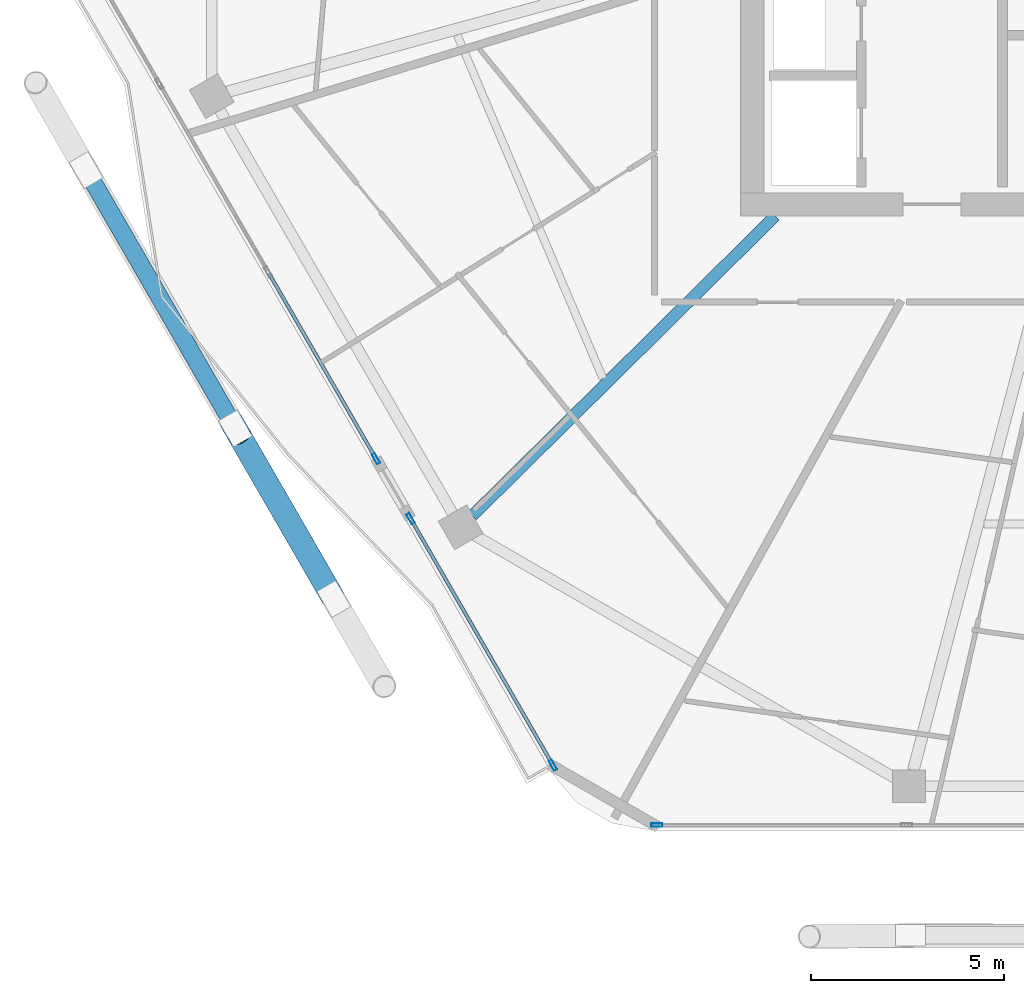
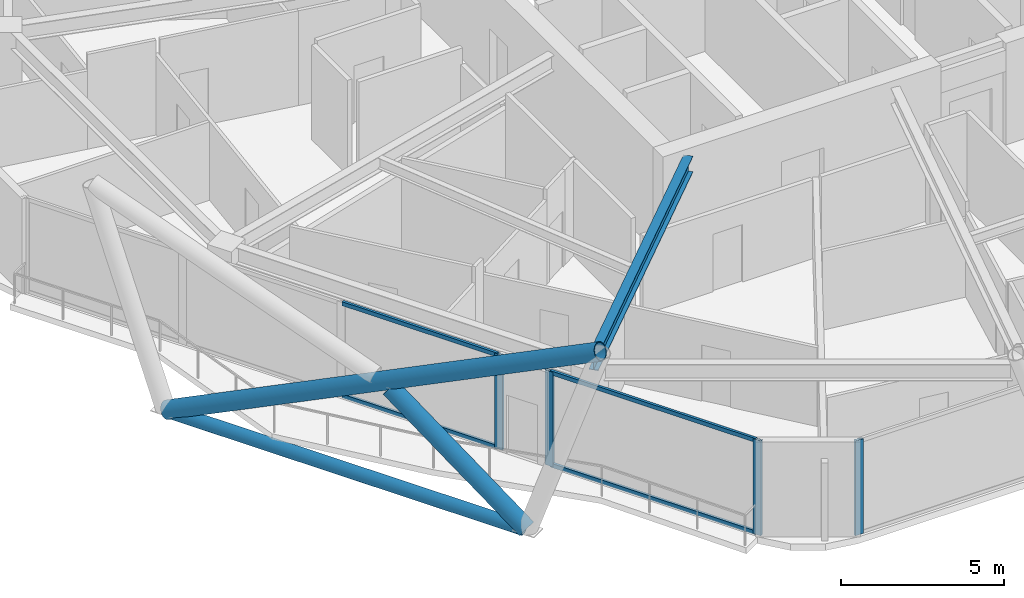
# One storey, part 2 of 28: 11 members, 1 beam, 3 elements without a shape of their own.
"""IFC4 building model written with IfcOpenShell, lengths in metres."""

from ifc_helpers import new_model, si_unit, direction, frame, origin, origin_2d, place, context, subcontext, project, spatial, hollow_rectangle, hollow_circle, i_section, extrude, material, material_profile, profile_set, type_object, element, aggregate, save


model = new_model("IFC4")

# Units and contexts
model_context = context("Model", 3, precision=1e-05, world=origin(), true_north=direction((0.0, 1.0)))
body_context = subcontext(model_context, "Body", "Model", "MODEL_VIEW")
ifc_project = project(units=[si_unit("LENGTHUNIT", "METRE"), si_unit("AREAUNIT", "SQUARE_METRE"), si_unit("VOLUMEUNIT", "CUBIC_METRE"), si_unit("PLANEANGLEUNIT", "RADIAN"), si_unit("MASSUNIT", "GRAM", prefix="KILO")], contexts=[model_context])

# Site, building, storey
site_placement = place(None, origin())
site = spatial("IfcSite", under=ifc_project, at=site_placement, CompositionType="ELEMENT")
building_placement = place(site_placement, origin())
building = spatial("IfcBuilding", under=site, at=building_placement, Name="Zuhravey Tower", CompositionType="ELEMENT")
storey_placement = place(building_placement, frame((0.0, 0.0, 284.39990234375)))
storey = spatial("IfcBuildingStorey", under=building, at=storey_placement, Name="L72", CompositionType="ELEMENT", Elevation=284.39990234375)

# Curtain wall, member
ifc_material_1 = material(Name="Thermally broken anodised aluminium", Category="aluminium")
curtain_wall_type = type_object("IfcCurtainWallType", Name="Zone 3-4 High-Rise Curtain Wall CW4", PredefinedType="NOTDEFINED", material=ifc_material_1)
curtain_wall_1_placement = place(storey_placement, origin())
curtain_wall_1 = element("IfcCurtainWall", 1, at=curtain_wall_1_placement, inside=storey, type_object=curtain_wall_type, Name="L72 CW4 CW-L72-F5-1", PredefinedType="NOTDEFINED")
ifc_material_2 = material(Name="Anodised aluminium", Category="aluminium")
ifc_material_profile_1 = material_profile(ifc_material_2, hollow_rectangle(XDim=0.090087890625, YDim=0.284912109375, WallThickness=0.0048828125, at=origin_2d()), Name="ALU-RHS-90x285x5")
ifc_profile_set_1 = profile_set([ifc_material_profile_1], Name="Anodised aluminium")
member_type_1 = type_object("IfcMemberType", Name="Curtain-Wall Mullion 90x180", PredefinedType="MULLION", material=ifc_profile_set_1)
member_1_placement = place(storey_placement, frame((23.0322265625, 6.436279296875, 0.0), z_axis=(0.0, 0.0, 1.0), x_axis=(0.0, -1.0, 0.0)))
member_1 = element("IfcMember", 2, at=member_1_placement, type_object=member_type_1, Name="CW4 mullion 5", PredefinedType="MULLION", context=body_context, shape_type="SweptSolid", body=[
    extrude(hollow_rectangle(XDim=0.090087890625, YDim=0.284912109375, WallThickness=0.0048828125, at=origin_2d()), origin(), (0.0, 0.0, 1.0), 3.550048828125),
])
aggregate(curtain_wall_1, [member_1])

# Curtain wall, members
curtain_wall_2_placement = place(storey_placement, origin())
curtain_wall_2 = element("IfcCurtainWall", 3, at=curtain_wall_2_placement, inside=storey, type_object=curtain_wall_type, Name="L72 CW4 CW-L72-F4-1", PredefinedType="NOTDEFINED")
member_2_placement = place(storey_placement, frame((20.34521484375, 7.98779296875, 0.0), z_axis=(0.0, 0.0, 1.0), x_axis=(-0.866021291297, -0.50000712297, 0.0)))
member_2 = element("IfcMember", 4, at=member_2_placement, type_object=member_type_1, Name="CW4 mullion 1", PredefinedType="MULLION", context=body_context, shape_type="SweptSolid", body=[
    extrude(hollow_rectangle(XDim=0.090087890625, YDim=0.284912109375, WallThickness=0.0048828125, at=origin_2d()), origin(), (0.0, 0.0, 1.0), 3.550048828125),
])
member_3_placement = place(storey_placement, frame((16.659912109375, 14.37060546875, 0.0), z_axis=(0.0, 0.0, 1.0), x_axis=(-0.866021291297, -0.50000712297, 0.0)))
member_3 = element("IfcMember", 5, at=member_3_placement, type_object=member_type_1, Name="CW4 mullion 2", PredefinedType="MULLION", context=body_context, shape_type="SweptSolid", body=[
    extrude(hollow_rectangle(XDim=0.090087890625, YDim=0.284912109375, WallThickness=0.0048828125, at=origin_2d()), origin(), (0.0, 0.0, 1.0), 3.550048828125),
])

# Curtain wall, member
curtain_wall_3_placement = place(storey_placement, origin())
curtain_wall_3 = element("IfcCurtainWall", 6, at=curtain_wall_3_placement, inside=storey, type_object=curtain_wall_type, Name="L72 CW4 CW-L72-F4-2", PredefinedType="NOTDEFINED")
member_4_placement = place(storey_placement, frame((15.764892578125, 15.920654296875, 0.0), z_axis=(0.0, 0.0, 1.0), x_axis=(-0.866025527712, -0.499999785352, 0.0)))
member_4 = element("IfcMember", 7, at=member_4_placement, type_object=member_type_1, Name="CW4 mullion 1", PredefinedType="MULLION", context=body_context, shape_type="SweptSolid", body=[
    extrude(hollow_rectangle(XDim=0.090087890625, YDim=0.284912109375, WallThickness=0.0048828125, at=origin_2d()), origin(), (0.0, 0.0, 1.0), 3.550048828125),
])

# Member
ifc_material_profile_2 = material_profile(ifc_material_2, hollow_rectangle(XDim=0.090087890625, YDim=0.14990234375, WallThickness=0.0048828125, at=origin_2d()), Name="ALU-RHS-90x150x5")
ifc_profile_set_2 = profile_set([ifc_material_profile_2], Name="Anodised aluminium")
member_type_2 = type_object("IfcMemberType", Name="Curtain-Wall Transom 90x150", PredefinedType="USERDEFINED", material=ifc_profile_set_2)
member_5_placement = place(storey_placement, frame((20.322509765625, 8.02685546875, 0.045166015625), z_axis=(-0.499987591186, 0.866032567898, 0.0), x_axis=(-0.866032567898, -0.499987591186, 0.0)))
member_5 = element("IfcMember", 8, at=member_5_placement, type_object=member_type_2, Name="CW4 transom 1.1", ObjectType="TRANSOM", PredefinedType="USERDEFINED", context=body_context, shape_type="SweptSolid", body=[
    extrude(hollow_rectangle(XDim=0.090087890625, YDim=0.14990234375, WallThickness=0.0048828125, at=origin_2d()), origin(), (0.0, 0.0, 1.0), 7.280029296875),
])

member_6_placement = place(storey_placement, frame((20.322509765625, 8.02685546875, 3.505126953125), z_axis=(-0.499987591186, 0.866032567898, 0.0), x_axis=(-0.866032567898, -0.499987591186, 0.0)))
member_6 = element("IfcMember", 9, at=member_6_placement, type_object=member_type_2, Name="CW4 transom 1.2", ObjectType="TRANSOM", PredefinedType="USERDEFINED", context=body_context, shape_type="SweptSolid", body=[
    extrude(hollow_rectangle(XDim=0.090087890625, YDim=0.14990234375, WallThickness=0.0048828125, at=origin_2d()), origin(), (0.0, 0.0, 1.0), 7.280029296875),
])

aggregate(curtain_wall_2, [member_2, member_3, member_5, member_6])

member_7_placement = place(storey_placement, frame((15.742431640625, 15.959716796875, 0.045166015625), z_axis=(-0.50000105825, 0.866024792803, 0.0), x_axis=(-0.866024792803, -0.50000105825, 0.0)))
member_7 = element("IfcMember", 10, at=member_7_placement, type_object=member_type_2, Name="CW4 transom 1.1", ObjectType="TRANSOM", PredefinedType="USERDEFINED", context=body_context, shape_type="SweptSolid", body=[
    extrude(hollow_rectangle(XDim=0.090087890625, YDim=0.14990234375, WallThickness=0.0048828125, at=origin_2d()), origin(), (0.0, 0.0, 1.0), 5.48681640625),
])

member_8_placement = place(storey_placement, frame((15.742431640625, 15.959716796875, 3.505126953125), z_axis=(-0.50000105825, 0.866024792803, 0.0), x_axis=(-0.866024792803, -0.50000105825, 0.0)))
member_8 = element("IfcMember", 11, at=member_8_placement, type_object=member_type_2, Name="CW4 transom 1.2", ObjectType="TRANSOM", PredefinedType="USERDEFINED", context=body_context, shape_type="SweptSolid", body=[
    extrude(hollow_rectangle(XDim=0.090087890625, YDim=0.14990234375, WallThickness=0.0048828125, at=origin_2d()), origin(), (0.0, 0.0, 1.0), 5.48681640625),
])

aggregate(curtain_wall_3, [member_4, member_7, member_8])

# Members
ifc_material_3 = material(Name="Steel SM355", Category="steel")
ifc_material_profile_3 = material_profile(ifc_material_3, hollow_circle(Radius=0.228515625, WallThickness=0.02197265625, at=origin_2d()), Name="CHS-457.2x22")
ifc_profile_set_3 = profile_set([ifc_material_profile_3], Name="Steel SM355")
member_type_3 = type_object("IfcMemberType", Name="Exoskeleton Ring Tie CHS457x22", PredefinedType="CHORD", material=ifc_profile_set_3)
member_9_placement = place(storey_placement, frame((8.337158203125, 23.26611328125, -0.4638671875), z_axis=(0.50000793057, -0.866020825019, 0.0), x_axis=(0.866020825019, 0.50000793057, 0.0)))
element("IfcMember", 12, at=member_9_placement, inside=storey, type_object=member_type_3, Name="L72 Exoskeleton Face 4 Tie EXR1", PredefinedType="CHORD", context=body_context, shape_type="SweptSolid", body=[
    extrude(hollow_circle(Radius=0.228515625, WallThickness=0.02197265625, at=origin_2d()), origin(), (0.0, 0.0, 1.0), 12.535400390625),
])
ifc_material_profile_4 = material_profile(ifc_material_3, hollow_circle(Radius=0.3046875, WallThickness=0.028076171875, at=origin_2d()), Name="CHS-609.6x28")
ifc_profile_set_4 = profile_set([ifc_material_profile_4], Name="Steel SM355")
member_type_4 = type_object("IfcMemberType", Name="Exoskeleton Zone 3 Diagrid CHS610x28", PredefinedType="BRACE", material=ifc_profile_set_4)
member_10_placement = place(storey_placement, frame((8.285400390625, 23.355712890625, -0.44580078125), z_axis=(0.44858715889, -0.776961798354, 0.441701171357), x_axis=(0.866021515814, 0.500006734102, 0.0)))
element("IfcMember", 13, at=member_10_placement, inside=storey, type_object=member_type_4, Name="L72 Face 4 Diagrid Brace 2", PredefinedType="BRACE", context=body_context, shape_type="SweptSolid", body=[
    extrude(hollow_circle(Radius=0.3046875, WallThickness=0.028076171875, at=origin_2d()), origin(), (0.0, 0.0, 1.0), 17.12451171875),
])
member_11_placement = place(storey_placement, frame((14.658447265625, 12.3173828125, -0.439453125), z_axis=(-0.400857097635, 0.694313522504, 0.597697515256), x_axis=(-0.866028105091, -0.49999532117, 0.0)))
element("IfcMember", 14, at=member_11_placement, inside=storey, type_object=member_type_4, Name="L72 Face 4 Split Diagrid Brace 3A", PredefinedType="BRACE", context=body_context, shape_type="SweptSolid", body=[
    extrude(hollow_circle(Radius=0.3046875, WallThickness=0.028076171875, at=origin_2d()), origin(), (0.0, 0.0, 1.0), 6.021728515625),
])

# Beam
ifc_material_profile_5 = material_profile(ifc_material_3, i_section(OverallWidth=0.300048828125, OverallDepth=0.60009765625, WebThickness=0.011962890625, FlangeThickness=0.02001953125, at=origin_2d()), Name="H-600x300x12x20")
ifc_profile_set_5 = profile_set([ifc_material_profile_5], Name="Steel SM355")
beam_type = type_object("IfcBeamType", Name="Radial Primary Girder H600x300", PredefinedType="BEAM", material=ifc_profile_set_5)
beam_placement = place(storey_placement, frame((26.09326171875, 22.197021484375, 3.25), z_axis=(-0.710808169267, -0.70338591577, 0.0), x_axis=(0.70338591577, -0.710808169267, 0.0)))
element("IfcBeam", 15, at=beam_placement, inside=storey, type_object=beam_type, Name="L72 RG3 BM-L72-RAD-08", PredefinedType="BEAM", context=body_context, shape_type="SweptSolid", body=[
    extrude(i_section(OverallWidth=0.300048828125, OverallDepth=0.60009765625, WebThickness=0.011962890625, FlangeThickness=0.02001953125, at=origin_2d()), origin(), (0.0, 0.0, 1.0), 11.019287109375),
])

save(model, "model.ifc")
